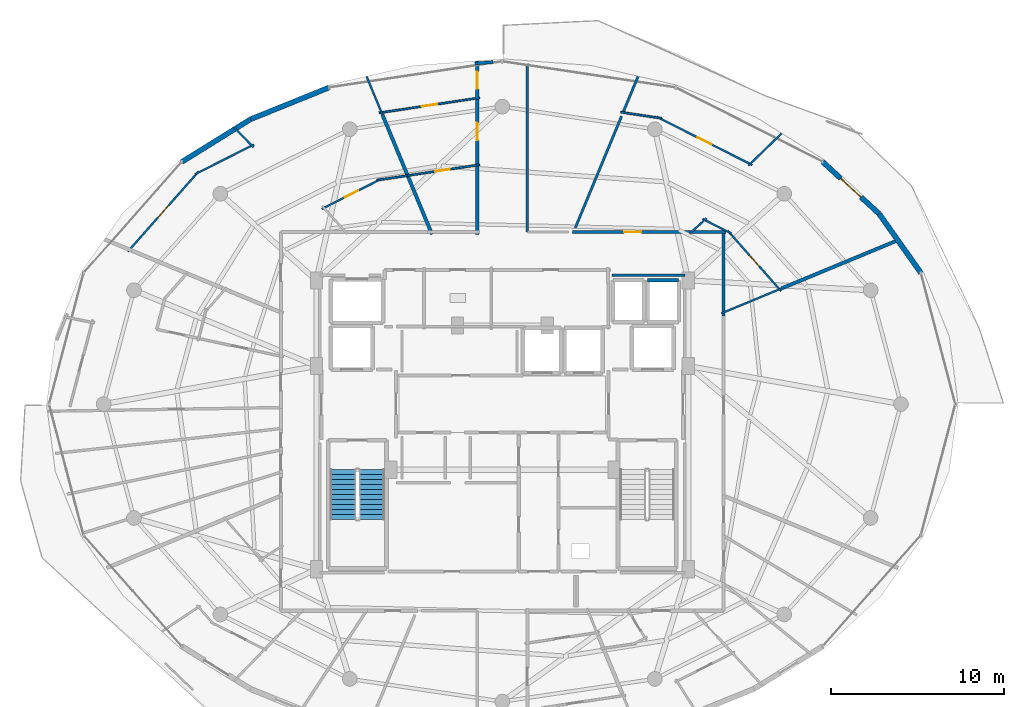
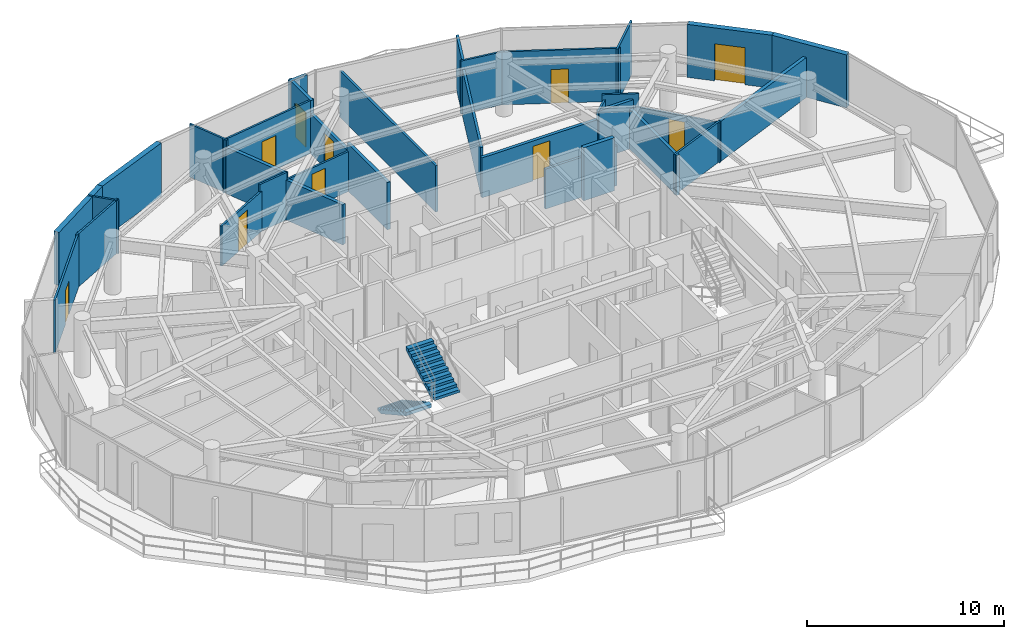
# One storey, part 27 of 31: 34 walls, 10 doors, 2 stair flights, 10 openings, 1 element without a shape of its own.
"""IFC4 building model written with IfcOpenShell, lengths in metres."""

from ifc_helpers import new_model, si_unit, direction, frame, frame_2d, origin, place, context, subcontext, project, spatial, polyline, rectangle, outline, extrude, material, layer, layer_set, type_object, element, fill, aggregate, save


model = new_model("IFC4")

# Units and contexts
model_context = context("Model", 3, precision=1e-05, world=origin(), true_north=direction((0.0, 1.0)))
body_context = subcontext(model_context, "Body", "Model", "MODEL_VIEW")
ifc_project = project(units=[si_unit("LENGTHUNIT", "METRE"), si_unit("AREAUNIT", "SQUARE_METRE"), si_unit("VOLUMEUNIT", "CUBIC_METRE"), si_unit("PLANEANGLEUNIT", "RADIAN"), si_unit("MASSUNIT", "GRAM", prefix="KILO")], contexts=[model_context])

# Site, building, storey
site_placement = place(None, origin())
site = spatial("IfcSite", under=ifc_project, at=site_placement, CompositionType="ELEMENT")
building_placement = place(site_placement, origin())
building = spatial("IfcBuilding", under=site, at=building_placement, Name="Vorneva Point Tower", CompositionType="ELEMENT")
storey_placement = place(building_placement, frame((0.0, 0.0, 266.199951171875)))
storey = spatial("IfcBuildingStorey", under=building, at=storey_placement, Name="L72", CompositionType="ELEMENT", Elevation=266.199951171875)

# Wall
ifc_material_1 = material(Name="Precast concrete B50 (C40/50)", Category="concrete")
ifc_layer_1 = layer(ifc_material_1, 0.300048828125)
ifc_layer_set_1 = layer_set([ifc_layer_1], Name="Precast concrete B50 (C40/50)")
wall_type_1 = type_object("IfcWallType", Name="WL-EXT-300", PredefinedType="STANDARD", material=ifc_layer_set_1)
wall_1_placement = place(storey_placement, frame((62.20556640625, 33.5810546875, 0.0), z_axis=(0.0, 0.0, 1.0), x_axis=(-0.577261247247, 0.816559521668, 0.0)))
element("IfcWall", 1, at=wall_1_placement, inside=storey, type_object=wall_type_1, Name="L72 Pale-Metal Facade Spandrel Wall 02.1", PredefinedType="STANDARD", context=body_context, shape_type="SweptSolid", body=[
    extrude(rectangle(XDim=4.194091796875, YDim=0.300048828125, at=frame_2d((2.09716796875, 0.0))), origin(), (0.0, 0.0, 1.0), 3.2900390625),
])

# Wall, opening, door
wall_2_placement = place(storey_placement, frame((59.784423828125, 37.005859375, 0.0), z_axis=(0.0, 0.0, 1.0), x_axis=(-0.735445373611, 0.677584018727, 0.0)))
wall_2 = element("IfcWall", 2, at=wall_2_placement, inside=storey, type_object=wall_type_1, Name="L72 Pale-Metal Facade Spandrel Wall 02.2", PredefinedType="STANDARD", context=body_context, shape_type="SweptSolid", body=[
    extrude(rectangle(XDim=4.430419921875, YDim=0.300048828125, at=frame_2d((2.21533203125, 0.0))), origin(), (0.0, 0.0, 1.0), 3.2900390625),
])
opening_1_placement = place(wall_2_placement, frame((1.415283203125, 0.0, 0.0)))
opening_1 = element("IfcOpeningElement", 3, at=opening_1_placement, cuts=wall_2, Name="Opening BD-01", PredefinedType="OPENING", context=body_context, shape_type="SweptSolid", body=[
    extrude(rectangle(XDim=1.60009765625, YDim=2.300048828125, at=frame_2d((0.800048828125, 1.14990234375))), frame((0.0, 0.1650390625, 0.0), z_axis=(0.0, -1.0, 0.0), x_axis=(1.0, 0.0, 0.0)), (0.0, 0.0, 1.0), 0.329833984375),
])
ifc_material_2 = material(Name="Pale anodised aluminium", Category="aluminium")
door_type_1 = type_object("IfcDoorType", Name="DR-BAL-1600", OperationType="SLIDING_TO_LEFT", PredefinedType="DOOR", material=ifc_material_2)
door_1_placement = place(opening_1_placement, origin())
door_1 = element("IfcDoor", 4, at=door_1_placement, inside=storey, type_object=door_type_1, Name="L72 Balcony Terrace Access Door 02", OperationType="SLIDING_TO_LEFT", OverallHeight=2.300048828125, OverallWidth=1.60009765625, PredefinedType="DOOR", context=body_context, shape_type="SweptSolid", body=[
    extrude(rectangle(XDim=1.60009765625, YDim=2.300048828125, at=frame_2d((0.800048828125, 1.14990234375))), frame((0.0, 0.02490234375, 0.0), z_axis=(0.0, -1.0, 0.0), x_axis=(1.0, 0.0, 0.0)), (0.0, 0.0, 1.0), 0.050048828125),
])
fill(opening_1, door_1)

# Walls
wall_3_placement = place(storey_placement, frame((27.9736328125, 44.302001953125, 0.0), z_axis=(0.0, 0.0, 1.0), x_axis=(-0.927147375511, -0.374696869594, 0.0)))
element("IfcWall", 5, at=wall_3_placement, inside=storey, type_object=wall_type_1, Name="L72 Pale-Metal Facade Spandrel Wall 06.1", PredefinedType="STANDARD", context=body_context, shape_type="SweptSolid", body=[
    extrude(rectangle(XDim=4.885498046875, YDim=0.300048828125, at=frame_2d((2.44287109375, 0.0))), origin(), (0.0, 0.0, 1.0), 3.2900390625),
])
wall_4_placement = place(storey_placement, frame((23.444091796875, 42.471435546875, 0.0), z_axis=(0.0, 0.0, 1.0), x_axis=(-0.849702323036, -0.527262707032, 0.0)))
element("IfcWall", 6, at=wall_4_placement, inside=storey, type_object=wall_type_1, Name="L72 Pale-Metal Facade Spandrel Wall 06.2", PredefinedType="STANDARD", context=body_context, shape_type="SweptSolid", body=[
    extrude(rectangle(XDim=4.67236328125, YDim=0.300048828125, at=frame_2d((2.336181640625, 0.0))), origin(), (0.0, 0.0, 1.0), 3.2900390625),
])
ifc_material_3 = material(Name="Fire-rated acoustic gypsum stud partition", Category="gypsum")
ifc_layer_2 = layer(ifc_material_3, 0.110107421875)
ifc_layer_set_2 = layer_set([ifc_layer_2], Name="Fire-rated acoustic gypsum stud partition")
wall_type_2 = type_object("IfcWallType", Name="WL-PART-110", PredefinedType="PARTITIONING", material=ifc_layer_set_2)
wall_5_placement = place(storey_placement, frame((48.831298828125, 35.855712890625, 0.0), z_axis=(0.0, 0.0, 1.0), x_axis=(0.739696022243, 0.672941152463, 0.0)))
element("IfcWall", 7, at=wall_5_placement, inside=storey, type_object=wall_type_2, Name="L72 Interior Partition 065", PredefinedType="PARTITIONING", context=body_context, shape_type="SweptSolid", body=[
    extrude(rectangle(XDim=1.31298828125, YDim=0.110107421875, at=frame_2d((0.656494140625, 0.0))), origin(), (0.0, 0.0, 1.0), 2.97900390625),
])
wall_6_placement = place(storey_placement, frame((49.573974609375, 36.7080078125, 0.0), z_axis=(0.0, 0.0, 1.0), x_axis=(0.8925722309, -0.450904438464, 0.0)))
element("IfcWall", 8, at=wall_6_placement, inside=storey, type_object=wall_type_2, Name="L72 Interior Partition 066", PredefinedType="PARTITIONING", context=body_context, shape_type="SweptSolid", body=[
    extrude(rectangle(XDim=1.876708984375, YDim=0.110107421875, at=frame_2d((0.9384765625, 0.0))), origin(), (0.0, 0.0, 1.0), 3.2900390625),
])

# Wall, opening, door
wall_7_placement = place(storey_placement, frame((51.03125, 36.02978515625, 0.0), z_axis=(0.0, 0.0, 1.0), x_axis=(0.662106207726, -0.749410014405, 0.0)))
wall_7 = element("IfcWall", 9, at=wall_7_placement, inside=storey, type_object=wall_type_2, Name="L72 Interior Partition 067", PredefinedType="PARTITIONING", context=body_context, shape_type="SweptSolid", body=[
    extrude(rectangle(XDim=4.66455078125, YDim=0.110107421875, at=frame_2d((2.332275390625, 0.0))), origin(), (0.0, 0.0, 1.0), 2.48193359375),
])
opening_2_placement = place(wall_7_placement, frame((1.9072265625, 0.0, 0.0)))
opening_2 = element("IfcOpeningElement", 10, at=opening_2_placement, cuts=wall_7, Name="Opening ID-02", PredefinedType="OPENING", context=body_context, shape_type="SweptSolid", body=[
    extrude(rectangle(XDim=0.85009765625, YDim=2.10009765625, at=frame_2d((0.425048828125, 1.050048828125))), frame((0.0, 0.06982421875, 0.0), z_axis=(0.0, -1.0, 0.0), x_axis=(1.0, 0.0, 0.0)), (0.0, 0.0, 1.0), 0.139892578125),
])
ifc_material_4 = material(Name="Engineered oak fire-rated door leaf", Category="wood")
door_type_2 = type_object("IfcDoorType", Name="DR-BATH-850", OperationType="NOTDEFINED", PredefinedType="DOOR", material=ifc_material_4)
door_2_placement = place(opening_2_placement, origin())
door_2 = element("IfcDoor", 11, at=door_2_placement, inside=storey, type_object=door_type_2, Name="L72 Door Studio Apartment L72-01 / Bathroom L72-01", OperationType="SINGLE_SWING_RIGHT", OverallHeight=2.10009765625, OverallWidth=0.85009765625, PredefinedType="DOOR", context=body_context, shape_type="SweptSolid", body=[
    extrude(rectangle(XDim=0.85009765625, YDim=2.10009765625, at=frame_2d((0.425048828125, 1.050048828125))), frame((0.0, 0.02490234375, 0.0), z_axis=(0.0, -1.0, 0.0), x_axis=(1.0, 0.0, 0.0)), (0.0, 0.0, 1.0), 0.050048828125),
])
fill(opening_2, door_2)

# Wall
wall_8_placement = place(storey_placement, frame((54.15625, 32.692626953125, 0.0), z_axis=(0.0, 0.0, 1.0), x_axis=(-0.923827524065, -0.382808967736, 0.0)))
element("IfcWall", 12, at=wall_8_placement, inside=storey, type_object=wall_type_2, Name="L72 Interior Partition 068", PredefinedType="PARTITIONING", context=body_context, shape_type="SweptSolid", body=[
    extrude(rectangle(XDim=3.77294921875, YDim=0.110107421875, at=frame_2d((1.886474609375, 0.0))), origin(), (0.0, 0.0, 1.0), 2.48193359375),
])

# Wall, opening, door
wall_9_placement = place(storey_placement, frame((52.451904296875, 39.82080078125, 0.0), z_axis=(0.0, 0.0, 1.0), x_axis=(-0.89248283876, 0.451081348007, 0.0)))
wall_9 = element("IfcWall", 13, at=wall_9_placement, inside=storey, type_object=wall_type_2, Name="L72 Interior Partition 069", PredefinedType="PARTITIONING", context=body_context, shape_type="SweptSolid", body=[
    extrude(rectangle(XDim=6.17919921875, YDim=0.110107421875, at=frame_2d((3.089599609375, 0.0))), origin(), (0.0, 0.0, 1.0), 3.2900390625),
])
opening_3_placement = place(wall_9_placement, frame((2.6396484375, 0.0, 0.0)))
opening_3 = element("IfcOpeningElement", 14, at=opening_3_placement, cuts=wall_9, Name="Opening ID-01", PredefinedType="OPENING", context=body_context, shape_type="SweptSolid", body=[
    extrude(rectangle(XDim=0.89990234375, YDim=2.10009765625, at=frame_2d((0.449951171875, 1.050048828125))), frame((0.0, 0.06982421875, 0.0), z_axis=(0.0, -1.0, 0.0), x_axis=(1.0, 0.0, 0.0)), (0.0, 0.0, 1.0), 0.139892578125),
])
door_type_3 = type_object("IfcDoorType", Name="DR-ROOM-900", OperationType="NOTDEFINED", PredefinedType="DOOR", material=ifc_material_4)
door_3_placement = place(opening_3_placement, origin())
door_3 = element("IfcDoor", 15, at=door_3_placement, inside=storey, type_object=door_type_3, Name="L72 Door Studio Apartment L72-01 / Kitchen L72-01", OperationType="SINGLE_SWING_LEFT", OverallHeight=2.10009765625, OverallWidth=0.89990234375, PredefinedType="DOOR", context=body_context, shape_type="SweptSolid", body=[
    extrude(rectangle(XDim=0.89990234375, YDim=2.10009765625, at=frame_2d((0.449951171875, 1.050048828125))), frame((0.0, 0.02490234375, 0.0), z_axis=(0.0, -1.0, 0.0), x_axis=(1.0, 0.0, 0.0)), (0.0, 0.0, 1.0), 0.050048828125),
])
fill(opening_3, door_3)

# Walls
wall_10_placement = place(storey_placement, frame((47.200439453125, 42.524169921875, 0.0), z_axis=(0.0, 0.0, 1.0), x_axis=(-0.988853520249, 0.148891623308, 0.0)))
element("IfcWall", 16, at=wall_10_placement, inside=storey, type_object=wall_type_2, Name="L72 Interior Partition 070", PredefinedType="PARTITIONING", context=body_context, shape_type="SweptSolid", body=[
    extrude(rectangle(XDim=2.382568359375, YDim=0.110107421875, at=frame_2d((1.19140625, 0.0))), origin(), (0.0, 0.0, 1.0), 3.2900390625),
])
wall_11_placement = place(storey_placement, frame((54.1435546875, 41.644287109375, 0.0), z_axis=(0.0, 0.0, 1.0), x_axis=(-0.718131661866, -0.695907261225, 0.0)))
element("IfcWall", 17, at=wall_11_placement, inside=storey, type_object=wall_type_2, Name="L72 Interior Partition 071", PredefinedType="PARTITIONING", context=body_context, shape_type="SweptSolid", body=[
    extrude(rectangle(XDim=2.66943359375, YDim=0.110107421875, at=frame_2d((1.334716796875, 0.0))), origin(), (0.0, 0.0, 1.0), 3.2900390625),
])

# Wall, opening, door
wall_12_placement = place(storey_placement, frame((32.4033203125, 39.1943359375, 0.0), z_axis=(0.0, 0.0, 1.0), x_axis=(0.988876765206, 0.148737161585, 0.0)))
wall_12 = element("IfcWall", 18, at=wall_12_placement, inside=storey, type_object=wall_type_2, Name="L72 Interior Partition 073", PredefinedType="PARTITIONING", context=body_context, shape_type="SweptSolid", body=[
    extrude(rectangle(XDim=4.333251953125, YDim=0.110107421875, at=frame_2d((2.16650390625, 0.0))), origin(), (0.0, 0.0, 1.0), 2.48193359375),
])
opening_4_placement = place(wall_12_placement, frame((1.734130859375, 0.0, 0.0)))
opening_4 = element("IfcOpeningElement", 19, at=opening_4_placement, cuts=wall_12, Name="Opening ID-02", PredefinedType="OPENING", context=body_context, shape_type="SweptSolid", body=[
    extrude(rectangle(XDim=0.85009765625, YDim=2.10009765625, at=frame_2d((0.425048828125, 1.050048828125))), frame((0.0, 0.06982421875, 0.0), z_axis=(0.0, -1.0, 0.0), x_axis=(1.0, 0.0, 0.0)), (0.0, 0.0, 1.0), 0.139892578125),
])
door_4_placement = place(opening_4_placement, origin())
door_4 = element("IfcDoor", 20, at=door_4_placement, inside=storey, type_object=door_type_2, Name="L72 Door Studio Apartment L72-02 / Bathroom L72-02", OperationType="SINGLE_SWING_RIGHT", OverallHeight=2.10009765625, OverallWidth=0.85009765625, PredefinedType="DOOR", context=body_context, shape_type="SweptSolid", body=[
    extrude(rectangle(XDim=0.85009765625, YDim=2.10009765625, at=frame_2d((0.425048828125, 1.050048828125))), frame((0.0, 0.02490234375, 0.0), z_axis=(0.0, -1.0, 0.0), x_axis=(1.0, 0.0, 0.0)), (0.0, 0.0, 1.0), 0.050048828125),
])
fill(opening_4, door_4)

# Wall
wall_13_placement = place(storey_placement, frame((31.070556640625, 42.728759765625, 0.0), z_axis=(0.0, 0.0, 1.0), x_axis=(-0.382798716902, 0.923831771665, 0.0)))
element("IfcWall", 21, at=wall_13_placement, inside=storey, type_object=wall_type_2, Name="L72 Interior Partition 074", PredefinedType="PARTITIONING", context=body_context, shape_type="SweptSolid", body=[
    extrude(rectangle(XDim=2.396240234375, YDim=0.110107421875, at=frame_2d((1.1982421875, 0.0))), origin(), (0.0, 0.0, 1.0), 3.2900390625),
])

# Wall, opening, door
wall_14_placement = place(storey_placement, frame((36.6884765625, 43.710693359375, 0.0), z_axis=(0.0, 0.0, 1.0), x_axis=(-0.988884781275, -0.1486838571, 0.0)))
wall_14 = element("IfcWall", 22, at=wall_14_placement, inside=storey, type_object=wall_type_2, Name="L72 Interior Partition 075", PredefinedType="PARTITIONING", context=body_context, shape_type="SweptSolid", body=[
    extrude(rectangle(XDim=5.875, YDim=0.110107421875, at=frame_2d((2.9375, 0.0))), origin(), (0.0, 0.0, 1.0), 3.2900390625),
])
opening_5_placement = place(wall_14_placement, frame((2.487548828125, 0.0, 0.0)))
opening_5 = element("IfcOpeningElement", 23, at=opening_5_placement, cuts=wall_14, Name="Opening ID-01", PredefinedType="OPENING", context=body_context, shape_type="SweptSolid", body=[
    extrude(rectangle(XDim=0.89990234375, YDim=2.10009765625, at=frame_2d((0.449951171875, 1.050048828125))), frame((0.0, 0.06982421875, 0.0), z_axis=(0.0, -1.0, 0.0), x_axis=(1.0, 0.0, 0.0)), (0.0, 0.0, 1.0), 0.139892578125),
])
door_5_placement = place(opening_5_placement, origin())
door_5 = element("IfcDoor", 24, at=door_5_placement, inside=storey, type_object=door_type_3, Name="L72 Door Studio Apartment L72-02 / Kitchen L72-02", OperationType="SINGLE_SWING_LEFT", OverallHeight=2.10009765625, OverallWidth=0.89990234375, PredefinedType="DOOR", context=body_context, shape_type="SweptSolid", body=[
    extrude(rectangle(XDim=0.89990234375, YDim=2.10009765625, at=frame_2d((0.449951171875, 1.050048828125))), frame((0.0, 0.02490234375, 0.0), z_axis=(0.0, -1.0, 0.0), x_axis=(1.0, 0.0, 0.0)), (0.0, 0.0, 1.0), 0.050048828125),
])
fill(opening_5, door_5)

wall_15_placement = place(storey_placement, frame((27.55517578125, 37.27880859375, 0.0), z_axis=(0.0, 0.0, 1.0), x_axis=(0.892457700076, 0.451131082475, 0.0)))
wall_15 = element("IfcWall", 25, at=wall_15_placement, inside=storey, type_object=wall_type_2, Name="L72 Interior Partition 079", PredefinedType="PARTITIONING", context=body_context, shape_type="SweptSolid", body=[
    extrude(rectangle(XDim=3.884521484375, YDim=0.110107421875, at=frame_2d((1.9423828125, 0.0))), origin(), (0.0, 0.0, 1.0), 2.48193359375),
])
opening_6_placement = place(wall_15_placement, frame((1.517333984375, 0.0, 0.0)))
opening_6 = element("IfcOpeningElement", 26, at=opening_6_placement, cuts=wall_15, Name="Opening ID-02", PredefinedType="OPENING", context=body_context, shape_type="SweptSolid", body=[
    extrude(rectangle(XDim=0.85009765625, YDim=2.10009765625, at=frame_2d((0.425048828125, 1.050048828125))), frame((0.0, 0.06982421875, 0.0), z_axis=(0.0, -1.0, 0.0), x_axis=(1.0, 0.0, 0.0)), (0.0, 0.0, 1.0), 0.139892578125),
])
door_6_placement = place(opening_6_placement, origin())
door_6 = element("IfcDoor", 27, at=door_6_placement, inside=storey, type_object=door_type_2, Name="L72 Door Studio Apartment L72-03 / Bathroom L72-03", OperationType="SINGLE_SWING_RIGHT", OverallHeight=2.10009765625, OverallWidth=0.85009765625, PredefinedType="DOOR", context=body_context, shape_type="SweptSolid", body=[
    extrude(rectangle(XDim=0.85009765625, YDim=2.10009765625, at=frame_2d((0.425048828125, 1.050048828125))), frame((0.0, 0.02490234375, 0.0), z_axis=(0.0, -1.0, 0.0), x_axis=(1.0, 0.0, 0.0)), (0.0, 0.0, 1.0), 0.050048828125),
])
fill(opening_6, door_6)

# Walls
wall_16_placement = place(storey_placement, frame((30.758544921875, 38.947265625, 0.0), z_axis=(0.0, 0.0, 1.0), x_axis=(0.988905026233, 0.148549147056, 0.0)))
element("IfcWall", 28, at=wall_16_placement, inside=storey, type_object=wall_type_2, Name="L72 Interior Partition 080", PredefinedType="PARTITIONING", context=body_context, shape_type="SweptSolid", body=[
    extrude(rectangle(XDim=1.7734375, YDim=0.110107421875, at=frame_2d((0.88671875, 0.0))), origin(), (0.0, 0.0, 1.0), 2.93603515625),
])
wall_17_placement = place(storey_placement, frame((22.469482421875, 42.026611328125, 0.0), z_axis=(0.0, 0.0, 1.0), x_axis=(0.695953252392, -0.718087091156, 0.0)))
element("IfcWall", 29, at=wall_17_placement, inside=storey, type_object=wall_type_2, Name="L72 Interior Partition 081", PredefinedType="PARTITIONING", context=body_context, shape_type="SweptSolid", body=[
    extrude(rectangle(XDim=1.6435546875, YDim=0.110107421875, at=frame_2d((0.82177734375, 0.0))), origin(), (0.0, 0.0, 1.0), 3.2900390625),
])
wall_18_placement = place(storey_placement, frame((23.640869140625, 41.01025390625, 0.0), z_axis=(0.0, 0.0, 1.0), x_axis=(-0.892414796855, -0.451215946476, 0.0)))
element("IfcWall", 30, at=wall_18_placement, inside=storey, type_object=wall_type_2, Name="L72 Interior Partition 082", PredefinedType="PARTITIONING", context=body_context, shape_type="SweptSolid", body=[
    extrude(rectangle(XDim=3.826416015625, YDim=0.110107421875, at=frame_2d((1.9130859375, 0.0))), origin(), (0.0, 0.0, 1.0), 3.2900390625),
])

# Wall, opening, door
wall_19_placement = place(storey_placement, frame((20.443603515625, 39.451904296875, 0.0), z_axis=(0.0, 0.0, 1.0), x_axis=(-0.662167862663, -0.749355537549, 0.0)))
wall_19 = element("IfcWall", 31, at=wall_19_placement, inside=storey, type_object=wall_type_2, Name="L72 Interior Partition 083", PredefinedType="PARTITIONING", context=body_context, shape_type="SweptSolid", body=[
    extrude(rectangle(XDim=6.17724609375, YDim=0.110107421875, at=frame_2d((3.088623046875, 0.0))), origin(), (0.0, 0.0, 1.0), 3.2900390625),
])
opening_7_placement = place(wall_19_placement, frame((2.638671875, 0.0, 0.0)))
opening_7 = element("IfcOpeningElement", 32, at=opening_7_placement, cuts=wall_19, Name="Opening ID-01", PredefinedType="OPENING", context=body_context, shape_type="SweptSolid", body=[
    extrude(rectangle(XDim=0.89990234375, YDim=2.10009765625, at=frame_2d((0.449951171875, 1.050048828125))), frame((0.0, 0.06982421875, 0.0), z_axis=(0.0, -1.0, 0.0), x_axis=(1.0, 0.0, 0.0)), (0.0, 0.0, 1.0), 0.139892578125),
])
door_7_placement = place(opening_7_placement, origin())
door_7 = element("IfcDoor", 33, at=door_7_placement, inside=storey, type_object=door_type_3, Name="L72 Door Studio Apartment L72-03 / Kitchen L72-03", OperationType="SINGLE_SWING_LEFT", OverallHeight=2.10009765625, OverallWidth=0.89990234375, PredefinedType="DOOR", context=body_context, shape_type="SweptSolid", body=[
    extrude(rectangle(XDim=0.89990234375, YDim=2.10009765625, at=frame_2d((0.449951171875, 1.050048828125))), frame((0.0, 0.02490234375, 0.0), z_axis=(0.0, -1.0, 0.0), x_axis=(1.0, 0.0, 0.0)), (0.0, 0.0, 1.0), 0.050048828125),
])
fill(opening_7, door_7)

# Walls
ifc_layer_3 = layer(ifc_material_3, 0.139892578125)
ifc_layer_set_3 = layer_set([ifc_layer_3], Name="Fire-rated acoustic gypsum stud partition")
wall_type_3 = type_object("IfcWallType", Name="WL-PART-140", PredefinedType="PARTITIONING", material=ifc_layer_set_3)
wall_20_placement = place(storey_placement, frame((39.449951171875, 35.949951171875, 0.0), z_axis=(0.0, 0.0, 1.0), x_axis=(0.0, 1.0, 0.0)))
element("IfcWall", 34, at=wall_20_placement, inside=storey, type_object=wall_type_3, Name="L72 Interior Closure Partition 139", PredefinedType="PARTITIONING", context=body_context, shape_type="SweptSolid", body=[
    extrude(rectangle(XDim=9.7509765625, YDim=0.139892578125, at=frame_2d((4.87548828125, 0.0))), origin(), (0.0, 0.0, 1.0), 2.8740234375),
])
wall_21_placement = place(storey_placement, frame((48.550048828125, 33.449951171875, 0.0), z_axis=(0.0, 0.0, 1.0), x_axis=(-1.0, 0.0, 0.0)))
element("IfcWall", 35, at=wall_21_placement, inside=storey, type_object=wall_type_3, Name="L72 Interior Closure Partition 144", PredefinedType="PARTITIONING", context=body_context, shape_type="SweptSolid", body=[
    extrude(rectangle(XDim=4.2099609375, YDim=0.139892578125, at=frame_2d((2.10498046875, 0.0))), origin(), (0.0, 0.0, 1.0), 2.48193359375),
])
wall_22_placement = place(storey_placement, frame((44.89599609375, 42.64892578125, 0.0), z_axis=(0.0, 0.0, 1.0), x_axis=(-0.382690075828, -0.923876780671, 0.0)))
element("IfcWall", 36, at=wall_22_placement, inside=storey, type_object=wall_type_3, Name="L72 Interior Closure Partition 151", PredefinedType="PARTITIONING", context=body_context, shape_type="SweptSolid", body=[
    extrude(rectangle(XDim=6.990234375, YDim=0.139892578125, at=frame_2d((3.4951171875, 0.0))), origin(), (0.0, 0.0, 1.0), 2.8740234375),
])
wall_23_placement = place(storey_placement, frame((45.8466796875, 44.9423828125, 0.0), z_axis=(0.0, 0.0, 1.0), x_axis=(-0.382997215295, -0.923749496929, 0.0)))
element("IfcWall", 37, at=wall_23_placement, inside=storey, type_object=wall_type_3, Name="L72 Interior Closure Partition 152", PredefinedType="PARTITIONING", context=body_context, shape_type="SweptSolid", body=[
    extrude(rectangle(XDim=2.28271484375, YDim=0.139892578125, at=frame_2d((1.141357421875, 0.0))), origin(), (0.0, 0.0, 1.0), 3.2900390625),
])

# Wall, opening, door
ifc_material_5 = material(Name="Autoclaved aerated concrete blockwork", Category="masonry")
ifc_layer_4 = layer(ifc_material_5, 0.179931640625)
ifc_layer_set_4 = layer_set([ifc_layer_4], Name="Autoclaved aerated concrete blockwork")
wall_type_4 = type_object("IfcWallType", Name="WL-PART-180", PredefinedType="PARTITIONING", material=ifc_layer_set_4)
wall_24_placement = place(storey_placement, frame((49.02392578125, 35.949951171875, 0.0), z_axis=(0.0, 0.0, 1.0), x_axis=(-1.0, 0.0, 0.0)))
wall_24 = element("IfcWall", 38, at=wall_24_placement, inside=storey, type_object=wall_type_4, Name="L72 Interior Partition 031", PredefinedType="PARTITIONING", context=body_context, shape_type="SweptSolid", body=[
    extrude(rectangle(XDim=6.962890625, YDim=0.179931640625, at=frame_2d((3.4814453125, 0.0))), origin(), (0.0, 0.0, 1.0), 2.48193359375),
])
opening_8_placement = place(wall_24_placement, frame((2.9814453125, 0.0, 0.0)))
opening_8 = element("IfcOpeningElement", 39, at=opening_8_placement, cuts=wall_24, Name="Opening UD-01", PredefinedType="OPENING", context=body_context, shape_type="SweptSolid", body=[
    extrude(rectangle(XDim=1.0, YDim=2.14990234375, at=frame_2d((0.5, 1.074951171875))), frame((0.0, 0.10498046875, 0.0), z_axis=(0.0, -1.0, 0.0), x_axis=(1.0, 0.0, 0.0)), (0.0, 0.0, 1.0), 0.209716796875),
])
door_type_4 = type_object("IfcDoorType", Name="DR-UNIT-1000", OperationType="NOTDEFINED", PredefinedType="DOOR", material=ifc_material_4)
door_8_placement = place(opening_8_placement, origin())
door_8 = element("IfcDoor", 40, at=door_8_placement, inside=storey, type_object=door_type_4, Name="L72 Door L72 Circulation Corridor / Studio Apartment L72-01", OperationType="SINGLE_SWING_RIGHT", OverallHeight=2.14990234375, OverallWidth=1.0, PredefinedType="DOOR", context=body_context, shape_type="SweptSolid", body=[
    extrude(rectangle(XDim=1.0, YDim=2.14990234375, at=frame_2d((0.5, 1.074951171875))), frame((0.0, 0.02490234375, 0.0), z_axis=(0.0, -1.0, 0.0), x_axis=(1.0, 0.0, 0.0)), (0.0, 0.0, 1.0), 0.050048828125),
])
fill(opening_8, door_8)

# Walls
wall_25_placement = place(storey_placement, frame((50.800048828125, 31.10205078125, 0.0), z_axis=(0.0, 0.0, 1.0), x_axis=(0.0, 1.0, 0.0)))
element("IfcWall", 41, at=wall_25_placement, inside=storey, type_object=wall_type_4, Name="L72 Interior Partition 032", PredefinedType="PARTITIONING", context=body_context, shape_type="SweptSolid", body=[
    extrude(rectangle(XDim=4.988037109375, YDim=0.179931640625, at=frame_2d((2.494140625, 0.0))), origin(), (0.0, 0.0, 1.0), 2.48193359375),
])
wall_26_placement = place(storey_placement, frame((50.93994140625, 35.949951171875, 0.0), z_axis=(0.0, 0.0, 1.0), x_axis=(-1.0, 0.0, 0.0)))
element("IfcWall", 42, at=wall_26_placement, inside=storey, type_object=wall_type_4, Name="L72 Interior Partition 033", PredefinedType="PARTITIONING", context=body_context, shape_type="SweptSolid", body=[
    extrude(rectangle(XDim=2.055908203125, YDim=0.179931640625, at=frame_2d((1.02783203125, 0.0))), origin(), (0.0, 0.0, 1.0), 2.97900390625),
])

# Wall, opening, door
wall_27_placement = place(storey_placement, frame((36.550048828125, 43.75, 0.0), z_axis=(0.0, 0.0, 1.0), x_axis=(0.0, -1.0, 0.0)))
wall_27 = element("IfcWall", 43, at=wall_27_placement, inside=storey, type_object=wall_type_4, Name="L72 Interior Partition 034", PredefinedType="PARTITIONING", context=body_context, shape_type="SweptSolid", body=[
    extrude(rectangle(XDim=3.992919921875, YDim=0.179931640625, at=frame_2d((1.99658203125, 0.0))), origin(), (0.0, 0.0, 1.0), 2.48193359375),
])
opening_9_placement = place(wall_27_placement, frame((1.49658203125, 0.0, 0.0)))
opening_9 = element("IfcOpeningElement", 44, at=opening_9_placement, cuts=wall_27, Name="Opening UD-01", PredefinedType="OPENING", context=body_context, shape_type="SweptSolid", body=[
    extrude(rectangle(XDim=1.0, YDim=2.14990234375, at=frame_2d((0.5, 1.074951171875))), frame((0.0, 0.10498046875, 0.0), z_axis=(0.0, -1.0, 0.0), x_axis=(1.0, 0.0, 0.0)), (0.0, 0.0, 1.0), 0.209716796875),
])
door_9_placement = place(opening_9_placement, origin())
door_9 = element("IfcDoor", 45, at=door_9_placement, inside=storey, type_object=door_type_4, Name="L72 Door L72 Circulation Corridor / Studio Apartment L72-02", OperationType="SINGLE_SWING_LEFT", OverallHeight=2.14990234375, OverallWidth=1.0, PredefinedType="DOOR", context=body_context, shape_type="SweptSolid", body=[
    extrude(rectangle(XDim=1.0, YDim=2.14990234375, at=frame_2d((0.5, 1.074951171875))), frame((0.0, 0.02490234375, 0.0), z_axis=(0.0, -1.0, 0.0), x_axis=(1.0, 0.0, 0.0)), (0.0, 0.0, 1.0), 0.050048828125),
])
fill(opening_9, door_9)

# Walls
wall_28_placement = place(storey_placement, frame((36.550048828125, 39.89697265625, 0.0), z_axis=(0.0, 0.0, 1.0), x_axis=(0.0, -1.0, 0.0)))
element("IfcWall", 46, at=wall_28_placement, inside=storey, type_object=wall_type_4, Name="L72 Interior Partition 035", PredefinedType="PARTITIONING", context=body_context, shape_type="SweptSolid", body=[
    extrude(rectangle(XDim=4.0869140625, YDim=0.179931640625, at=frame_2d((2.04345703125, 0.0))), origin(), (0.0, 0.0, 1.0), 2.93603515625),
])
wall_29_placement = place(storey_placement, frame((37.468505859375, 45.7705078125, 0.0), z_axis=(0.0, 0.0, 1.0), x_axis=(-0.997148461952, -0.075464858219, 0.0)))
element("IfcWall", 47, at=wall_29_placement, inside=storey, type_object=wall_type_4, Name="L72 Interior Partition 037", PredefinedType="PARTITIONING", context=body_context, shape_type="SweptSolid", body=[
    extrude(rectangle(XDim=1.06103515625, YDim=0.179931640625, at=frame_2d((0.530517578125, 0.0))), origin(), (0.0, 0.0, 1.0), 3.2900390625),
])

# Wall, opening, door
wall_30_placement = place(storey_placement, frame((36.550048828125, 45.841064453125, 0.0), z_axis=(0.0, 0.0, 1.0), x_axis=(0.0, -1.0, 0.0)))
wall_30 = element("IfcWall", 48, at=wall_30_placement, inside=storey, type_object=wall_type_4, Name="L72 Interior Partition 038", PredefinedType="PARTITIONING", context=body_context, shape_type="SweptSolid", body=[
    extrude(rectangle(XDim=2.23095703125, YDim=0.179931640625, at=frame_2d((1.115478515625, 0.0))), origin(), (0.0, 0.0, 1.0), 3.2900390625),
])
opening_10_placement = place(wall_30_placement, frame((0.615478515625, 0.0, 0.0)))
opening_10 = element("IfcOpeningElement", 49, at=opening_10_placement, cuts=wall_30, Name="Opening UD-01", PredefinedType="OPENING", context=body_context, shape_type="SweptSolid", body=[
    extrude(rectangle(XDim=1.0, YDim=2.14990234375, at=frame_2d((0.5, 1.074951171875))), frame((0.0, 0.10498046875, 0.0), z_axis=(0.0, -1.0, 0.0), x_axis=(1.0, 0.0, 0.0)), (0.0, 0.0, 1.0), 0.209716796875),
])
door_10_placement = place(opening_10_placement, origin())
door_10 = element("IfcDoor", 50, at=door_10_placement, inside=storey, type_object=door_type_4, Name="L72 Door L72 Circulation Corridor / Kitchen L72-02", OperationType="SINGLE_SWING_RIGHT", OverallHeight=2.14990234375, OverallWidth=1.0, PredefinedType="DOOR", context=body_context, shape_type="SweptSolid", body=[
    extrude(rectangle(XDim=1.0, YDim=2.14990234375, at=frame_2d((0.5, 1.074951171875))), frame((0.0, 0.02490234375, 0.0), z_axis=(0.0, -1.0, 0.0), x_axis=(1.0, 0.0, 0.0)), (0.0, 0.0, 1.0), 0.050048828125),
])
fill(opening_10, door_10)

# Walls
ifc_layer_5 = layer(ifc_material_5, 0.199951171875)
ifc_layer_set_5 = layer_set([ifc_layer_5], Name="Autoclaved aerated concrete blockwork")
wall_type_5 = type_object("IfcWallType", Name="WL-PART-200", PredefinedType="PARTITIONING", material=ifc_layer_set_5)
wall_31_placement = place(storey_placement, frame((54.156494140625, 32.6923828125, 0.0), z_axis=(0.0, 0.0, 1.0), x_axis=(0.923880411625, 0.382681309989, 0.0)))
element("IfcWall", 51, at=wall_31_placement, inside=storey, type_object=wall_type_5, Name="L72 Interior Partition 072", PredefinedType="PARTITIONING", context=body_context, shape_type="SweptSolid", body=[
    extrude(rectangle(XDim=7.263427734375, YDim=0.199951171875, at=frame_2d((3.6318359375, 0.0))), origin(), (0.0, 0.0, 1.0), 2.48193359375),
])
wall_32_placement = place(storey_placement, frame((31.070556640625, 42.728759765625, 0.0), z_axis=(0.0, 0.0, 1.0), x_axis=(0.382733287877, -0.923858880106, 0.0)))
element("IfcWall", 52, at=wall_32_placement, inside=storey, type_object=wall_type_5, Name="L72 Interior Partition 076", PredefinedType="PARTITIONING", context=body_context, shape_type="SweptSolid", body=[
    extrude(rectangle(XDim=3.8056640625, YDim=0.199951171875, at=frame_2d((1.90283203125, 0.0))), origin(), (0.0, 0.0, 1.0), 2.8740234375),
])
wall_33_placement = place(storey_placement, frame((32.473388671875, 39.34228515625, 0.0), z_axis=(0.0, 0.0, 1.0), x_axis=(0.382813734438, -0.92382554886, 0.0)))
element("IfcWall", 53, at=wall_33_placement, inside=storey, type_object=wall_type_5, Name="L72 Interior Partition 077", PredefinedType="PARTITIONING", context=body_context, shape_type="SweptSolid", body=[
    extrude(rectangle(XDim=3.811767578125, YDim=0.199951171875, at=frame_2d((1.90576171875, 0.0))), origin(), (0.0, 0.0, 1.0), 2.48193359375),
])
ifc_material_6 = material(Name="Concrete B50 (C40/50)", Category="concrete")
ifc_layer_6 = layer(ifc_material_6, 0.219970703125)
ifc_layer_set_6 = layer_set([ifc_layer_6], Name="Concrete B50 (C40/50)")
wall_type_6 = type_object("IfcWallType", Name="WL-SHFT-220", PredefinedType="SOLIDWALL", material=ifc_layer_set_6)
wall_34_placement = place(storey_placement, frame((48.199951171875, 33.159912109375, 0.0), z_axis=(0.0, 0.0, 1.0), x_axis=(-1.0, 0.0, 0.0)))
element("IfcWall", 54, at=wall_34_placement, inside=storey, type_object=wall_type_6, Name="L72 Lift EX2 Shaft Wall +Y", PredefinedType="SOLIDWALL", context=body_context, shape_type="SweptSolid", body=[
    extrude(rectangle(XDim=1.800048828125, YDim=0.219970703125, at=frame_2d((0.89990234375, 0.0))), origin(), (0.0, 0.0, 1.0), 3.2900390625),
])

# Stair, stair flights
stair_type = type_object("IfcStairType", Name="ST-DOG-1500", PredefinedType="HALF_TURN_STAIR", material=ifc_material_6)
stair_placement = place(storey_placement, origin())
stair = element("IfcStair", 55, at=stair_placement, inside=storey, type_object=stair_type, Name="L72 ST1", PredefinedType="HALF_TURN_STAIR")
stair_flight_type = type_object("IfcStairFlightType", Name="STF-1500", PredefinedType="STRAIGHT", material=ifc_material_6)
stair_flight_1_placement = place(storey_placement, frame((28.800048828125, 22.219970703125, 0.0), z_axis=(0.0, 0.0, 1.0), x_axis=(0.0, -1.0, 0.0)))
stair_flight_1 = element("IfcStairFlight", 56, at=stair_flight_1_placement, type_object=stair_flight_type, Name="ST1 flight 1", NumberOfRisers=11, NumberOfTreads=10, PredefinedType="STRAIGHT", RiserHeight=0.161363636, TreadLength=0.29, context=body_context, shape_type="SweptSolid", body=[
    extrude(outline(polyline([(0.0, 0.0), (0.0, 0.161376953125), (0.2900390625, 0.161376953125), (0.2900390625, 0.32275390625), (0.580078125, 0.32275390625), (0.580078125, 0.484130859375), (0.8701171875, 0.484130859375), (0.8701171875, 0.6455078125), (1.159912109375, 0.6455078125), (1.159912109375, 0.806884765625), (1.449951171875, 0.806884765625), (1.449951171875, 0.96826171875), (1.739990234375, 0.96826171875), (1.739990234375, 1.129638671875), (2.030029296875, 1.129638671875), (2.030029296875, 1.291015625), (2.320068359375, 1.291015625), (2.320068359375, 1.452392578125), (2.610107421875, 1.452392578125), (2.610107421875, 1.613525390625), (2.89990234375, 1.613525390625), (2.89990234375, 1.77490234375), (2.89990234375, 1.40771484375), (0.3701171875, 0.0), (0.0, 0.0)])), frame((0.0, 0.75, 0.0), z_axis=(0.0, -1.0, 0.0), x_axis=(1.0, 0.0, 0.0)), (0.0, 0.0, 1.0), 1.5),
])
stair_flight_2_placement = place(storey_placement, frame((30.449951171875, 19.320068359375, 1.775146484375), z_axis=(0.0, 0.0, 1.0), x_axis=(0.0, 1.0, 0.0)))
stair_flight_2 = element("IfcStairFlight", 57, at=stair_flight_2_placement, type_object=stair_flight_type, Name="ST1 flight 2", NumberOfRisers=11, NumberOfTreads=10, PredefinedType="STRAIGHT", RiserHeight=0.161363636, TreadLength=0.29, context=body_context, shape_type="SweptSolid", body=[
    extrude(outline(polyline([(0.0, 0.0), (0.0, 0.161376953125), (0.2900390625, 0.161376953125), (0.2900390625, 0.32275390625), (0.580078125, 0.32275390625), (0.580078125, 0.484130859375), (0.8701171875, 0.484130859375), (0.8701171875, 0.6455078125), (1.159912109375, 0.6455078125), (1.159912109375, 0.806884765625), (1.449951171875, 0.806884765625), (1.449951171875, 0.96826171875), (1.739990234375, 0.96826171875), (1.739990234375, 1.129638671875), (2.030029296875, 1.129638671875), (2.030029296875, 1.291015625), (2.320068359375, 1.291015625), (2.320068359375, 1.452392578125), (2.610107421875, 1.452392578125), (2.610107421875, 1.613525390625), (2.89990234375, 1.613525390625), (2.89990234375, 1.77490234375), (2.89990234375, 1.40771484375), (0.3701171875, 0.0), (0.0, 0.0)])), frame((0.0, 0.75, 0.0), z_axis=(0.0, -1.0, 0.0), x_axis=(1.0, 0.0, 0.0)), (0.0, 0.0, 1.0), 1.5),
])
aggregate(stair, [stair_flight_1, stair_flight_2])

save(model, "model.ifc")
